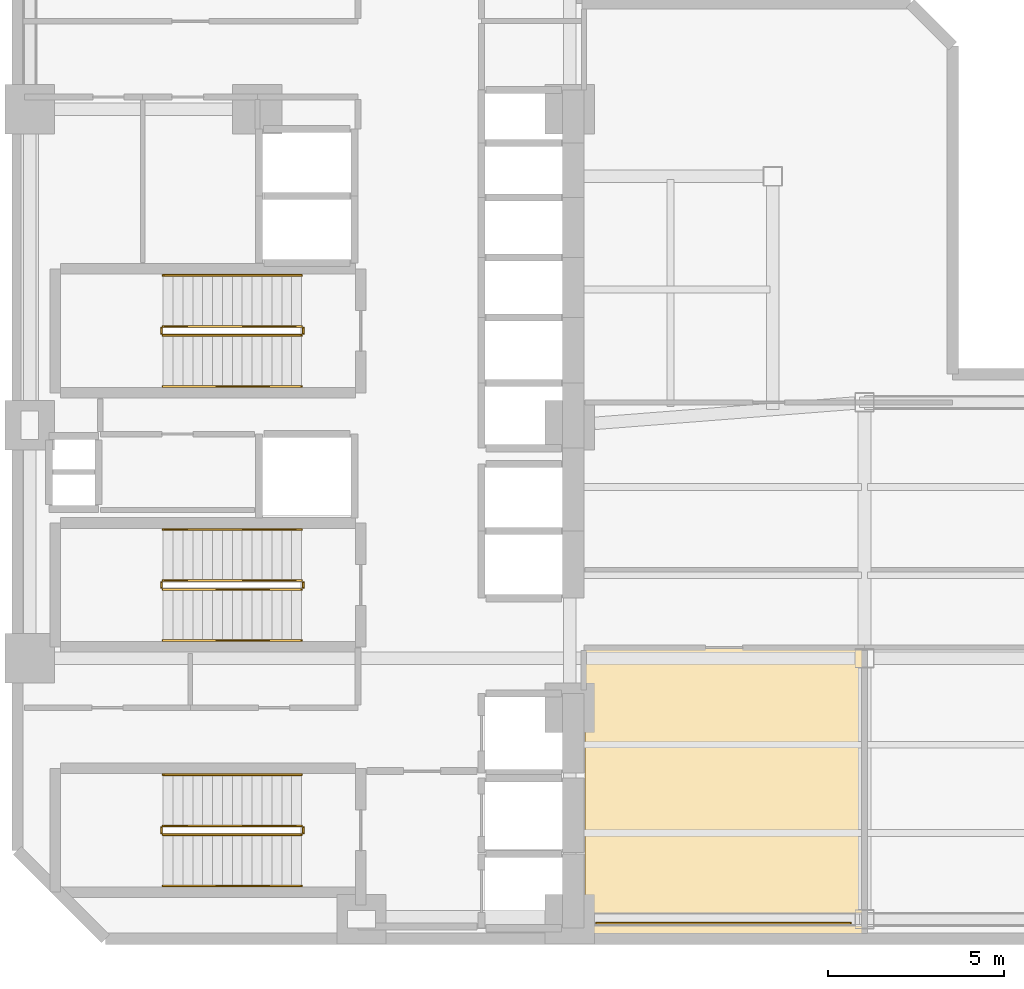
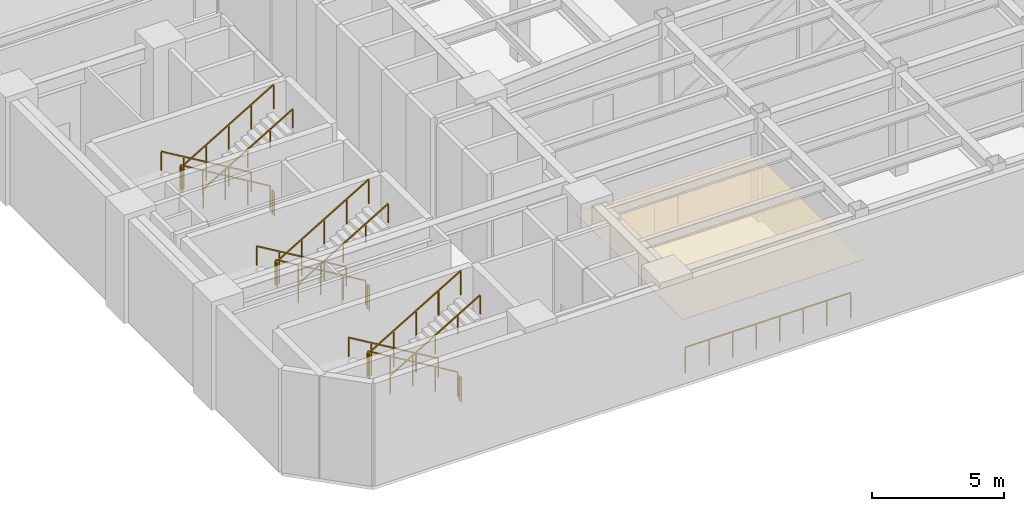
# One storey, part 6 of 7: 19 railings, 1 covering.
"""IFC4 building model written with IfcOpenShell, lengths in metres."""

from ifc_helpers import new_model, si_unit, direction, frame, origin, origin_2d, place, context, subcontext, project, spatial, polyline, rectangle, outline, extrude, material, layer, layer_set, type_object, element, save


model = new_model("IFC4")

# Units and contexts
model_context = context("Model", 3, precision=1e-05, world=origin(), true_north=direction((0.0, 1.0)))
body_context = subcontext(model_context, "Body", "Model", "MODEL_VIEW")
ifc_project = project(units=[si_unit("LENGTHUNIT", "METRE"), si_unit("AREAUNIT", "SQUARE_METRE"), si_unit("VOLUMEUNIT", "CUBIC_METRE"), si_unit("PLANEANGLEUNIT", "RADIAN"), si_unit("MASSUNIT", "GRAM", prefix="KILO")], contexts=[model_context])

# Site, building, storey
site_placement = place(None, origin())
site = spatial("IfcSite", under=ifc_project, at=site_placement, CompositionType="ELEMENT")
building_placement = place(site_placement, origin())
building = spatial("IfcBuilding", under=site, at=building_placement, Name="Mawjaban Terraces University", CompositionType="ELEMENT")
storey_placement = place(building_placement, frame((0.0, 0.0, 93.39990234375)))
storey = spatial("IfcBuildingStorey", under=building, at=storey_placement, Name="L22", CompositionType="ELEMENT", Elevation=93.39990234375)

# Covering
ifc_material_1 = material(Name="Acoustic mineral fibre ceiling tile", Category="masonry")
ifc_layer = layer(ifc_material_1, 0.02001953125)
ifc_layer_set = layer_set([ifc_layer], Name="Acoustic mineral fibre ceiling tile")
covering_type = type_object("IfcCoveringType", Name="AcousticMineralCeiling_20", PredefinedType="CEILING", material=ifc_layer_set)
covering_placement = place(storey_placement, frame((0.0, 0.0, 2.75)))
element("IfcCovering", 1, at=covering_placement, inside=storey, type_object=covering_type, Name="L22 Designated Smoke-Protected Refuge Area East Acoustic Ceiling", PredefinedType="CEILING", context=body_context, shape_type="SweptSolid", body=[
    extrude(outline(polyline([(38.080078125, 0.114990234375), (45.969970703125, 0.114990234375), (45.969970703125, 8.219970703125), (38.080078125, 8.219970703125), (38.080078125, 0.114990234375)])), origin(), (0.0, 0.0, 1.0), 0.02001953125),
])

# Railings
ifc_material_2 = material(Name="Brushed stainless steel 316", Category="steel")
railing_type_1 = type_object("IfcRailingType", Name="StairWallHandrail_900", PredefinedType="HANDRAIL", material=ifc_material_2)
railing_1_placement = place(storey_placement, frame((30.050048828125, 4.64990234375, 0.166748046875)))
element("IfcRailing", 2, at=railing_1_placement, inside=storey, type_object=railing_type_1, Name="L22 ST-1 stair handrail 1", PredefinedType="HANDRAIL", context=body_context, shape_type="SweptSolid", body=[
    extrude(rectangle(XDim=0.048095703125, YDim=0.048095703125, at=origin_2d()), frame((0.0, 0.0, 0.8759765625), z_axis=(-0.859310244771, 0.0, 0.511454693235), x_axis=(0.0, -1.0, 0.0)), (0.0, 0.0, 1.0), 4.56201171875),
    extrude(rectangle(XDim=0.0419921875, YDim=0.0419921875, at=origin_2d()), origin(), (0.0, 0.0, 1.0), 0.851806640625),
    extrude(rectangle(XDim=0.0419921875, YDim=0.0419921875, at=origin_2d()), frame((-0.97998046875, 0.0, 0.583251953125)), (0.0, 0.0, 1.0), 0.851806640625),
    extrude(rectangle(XDim=0.0419921875, YDim=0.0419921875, at=origin_2d()), frame((-1.9599609375, 0.0, 1.16650390625)), (0.0, 0.0, 1.0), 0.851806640625),
    extrude(rectangle(XDim=0.0419921875, YDim=0.0419921875, at=origin_2d()), frame((-2.940185546875, 0.0, 1.75)), (0.0, 0.0, 1.0), 0.851806640625),
    extrude(rectangle(XDim=0.0419921875, YDim=0.0419921875, at=origin_2d()), frame((-3.920166015625, 0.0, 2.333251953125)), (0.0, 0.0, 1.0), 0.851806640625),
])
railing_2_placement = place(storey_placement, frame((26.1298828125, 1.5, 2.666748046875)))
element("IfcRailing", 3, at=railing_2_placement, inside=storey, type_object=railing_type_1, Name="L22 ST-1 stair handrail 2", PredefinedType="HANDRAIL", context=body_context, shape_type="SweptSolid", body=[
    extrude(rectangle(XDim=0.048095703125, YDim=0.048095703125, at=origin_2d()), frame((0.0, 0.0, 0.8759765625), z_axis=(0.859310244771, 0.0, 0.511454693235), x_axis=(0.0, 1.0, 0.0)), (0.0, 0.0, 1.0), 4.56201171875),
    extrude(rectangle(XDim=0.0419921875, YDim=0.0419921875, at=origin_2d()), origin(), (0.0, 0.0, 1.0), 0.851806640625),
    extrude(rectangle(XDim=0.0419921875, YDim=0.0419921875, at=origin_2d()), frame((0.97998046875, 0.0, 0.583251953125)), (0.0, 0.0, 1.0), 0.851806640625),
    extrude(rectangle(XDim=0.0419921875, YDim=0.0419921875, at=origin_2d()), frame((1.9599609375, 0.0, 1.16650390625)), (0.0, 0.0, 1.0), 0.851806640625),
    extrude(rectangle(XDim=0.0419921875, YDim=0.0419921875, at=origin_2d()), frame((2.940185546875, 0.0, 1.75)), (0.0, 0.0, 1.0), 0.851806640625),
    extrude(rectangle(XDim=0.0419921875, YDim=0.0419921875, at=origin_2d()), frame((3.920166015625, 0.0, 2.333251953125)), (0.0, 0.0, 1.0), 0.851806640625),
])
railing_3_placement = place(storey_placement, frame((30.050048828125, 18.800048828125, 0.166748046875)))
element("IfcRailing", 4, at=railing_3_placement, inside=storey, type_object=railing_type_1, Name="L22 ST-2 stair handrail 1", PredefinedType="HANDRAIL", context=body_context, shape_type="SweptSolid", body=[
    extrude(rectangle(XDim=0.048095703125, YDim=0.048095703125, at=origin_2d()), frame((0.0, 0.0, 0.8759765625), z_axis=(-0.859310244771, 0.0, 0.511454693235), x_axis=(0.0, -1.0, 0.0)), (0.0, 0.0, 1.0), 4.56201171875),
    extrude(rectangle(XDim=0.0419921875, YDim=0.0419921875, at=origin_2d()), origin(), (0.0, 0.0, 1.0), 0.851806640625),
    extrude(rectangle(XDim=0.0419921875, YDim=0.0419921875, at=origin_2d()), frame((-0.97998046875, 0.0, 0.583251953125)), (0.0, 0.0, 1.0), 0.851806640625),
    extrude(rectangle(XDim=0.0419921875, YDim=0.0419921875, at=origin_2d()), frame((-1.9599609375, 0.0, 1.16650390625)), (0.0, 0.0, 1.0), 0.851806640625),
    extrude(rectangle(XDim=0.0419921875, YDim=0.0419921875, at=origin_2d()), frame((-2.940185546875, 0.0, 1.75)), (0.0, 0.0, 1.0), 0.851806640625),
    extrude(rectangle(XDim=0.0419921875, YDim=0.0419921875, at=origin_2d()), frame((-3.920166015625, 0.0, 2.333251953125)), (0.0, 0.0, 1.0), 0.851806640625),
])
railing_4_placement = place(storey_placement, frame((26.1298828125, 15.64990234375, 2.666748046875)))
element("IfcRailing", 5, at=railing_4_placement, inside=storey, type_object=railing_type_1, Name="L22 ST-2 stair handrail 2", PredefinedType="HANDRAIL", context=body_context, shape_type="SweptSolid", body=[
    extrude(rectangle(XDim=0.048095703125, YDim=0.048095703125, at=origin_2d()), frame((0.0, 0.0, 0.8759765625), z_axis=(0.859310244771, 0.0, 0.511454693235), x_axis=(0.0, 1.0, 0.0)), (0.0, 0.0, 1.0), 4.56201171875),
    extrude(rectangle(XDim=0.0419921875, YDim=0.0419921875, at=origin_2d()), origin(), (0.0, 0.0, 1.0), 0.851806640625),
    extrude(rectangle(XDim=0.0419921875, YDim=0.0419921875, at=origin_2d()), frame((0.97998046875, 0.0, 0.583251953125)), (0.0, 0.0, 1.0), 0.851806640625),
    extrude(rectangle(XDim=0.0419921875, YDim=0.0419921875, at=origin_2d()), frame((1.9599609375, 0.0, 1.16650390625)), (0.0, 0.0, 1.0), 0.851806640625),
    extrude(rectangle(XDim=0.0419921875, YDim=0.0419921875, at=origin_2d()), frame((2.940185546875, 0.0, 1.75)), (0.0, 0.0, 1.0), 0.851806640625),
    extrude(rectangle(XDim=0.0419921875, YDim=0.0419921875, at=origin_2d()), frame((3.920166015625, 0.0, 2.333251953125)), (0.0, 0.0, 1.0), 0.851806640625),
])
railing_5_placement = place(storey_placement, frame((30.050048828125, 11.60009765625, 0.166748046875)))
element("IfcRailing", 6, at=railing_5_placement, inside=storey, type_object=railing_type_1, Name="L22 ST-3 stair handrail 1", PredefinedType="HANDRAIL", context=body_context, shape_type="SweptSolid", body=[
    extrude(rectangle(XDim=0.048095703125, YDim=0.048095703125, at=origin_2d()), frame((0.0, 0.0, 0.8759765625), z_axis=(-0.859310244771, 0.0, 0.511454693235), x_axis=(0.0, -1.0, 0.0)), (0.0, 0.0, 1.0), 4.56201171875),
    extrude(rectangle(XDim=0.0419921875, YDim=0.0419921875, at=origin_2d()), origin(), (0.0, 0.0, 1.0), 0.851806640625),
    extrude(rectangle(XDim=0.0419921875, YDim=0.0419921875, at=origin_2d()), frame((-0.97998046875, 0.0, 0.583251953125)), (0.0, 0.0, 1.0), 0.851806640625),
    extrude(rectangle(XDim=0.0419921875, YDim=0.0419921875, at=origin_2d()), frame((-1.9599609375, 0.0, 1.16650390625)), (0.0, 0.0, 1.0), 0.851806640625),
    extrude(rectangle(XDim=0.0419921875, YDim=0.0419921875, at=origin_2d()), frame((-2.940185546875, 0.0, 1.75)), (0.0, 0.0, 1.0), 0.851806640625),
    extrude(rectangle(XDim=0.0419921875, YDim=0.0419921875, at=origin_2d()), frame((-3.920166015625, 0.0, 2.333251953125)), (0.0, 0.0, 1.0), 0.851806640625),
])
railing_6_placement = place(storey_placement, frame((26.1298828125, 8.449951171875, 2.666748046875)))
element("IfcRailing", 7, at=railing_6_placement, inside=storey, type_object=railing_type_1, Name="L22 ST-3 stair handrail 2", PredefinedType="HANDRAIL", context=body_context, shape_type="SweptSolid", body=[
    extrude(rectangle(XDim=0.048095703125, YDim=0.048095703125, at=origin_2d()), frame((0.0, 0.0, 0.8759765625), z_axis=(0.859310244771, 0.0, 0.511454693235), x_axis=(0.0, 1.0, 0.0)), (0.0, 0.0, 1.0), 4.56201171875),
    extrude(rectangle(XDim=0.0419921875, YDim=0.0419921875, at=origin_2d()), origin(), (0.0, 0.0, 1.0), 0.851806640625),
    extrude(rectangle(XDim=0.0419921875, YDim=0.0419921875, at=origin_2d()), frame((0.97998046875, 0.0, 0.583251953125)), (0.0, 0.0, 1.0), 0.851806640625),
    extrude(rectangle(XDim=0.0419921875, YDim=0.0419921875, at=origin_2d()), frame((1.9599609375, 0.0, 1.16650390625)), (0.0, 0.0, 1.0), 0.851806640625),
    extrude(rectangle(XDim=0.0419921875, YDim=0.0419921875, at=origin_2d()), frame((2.940185546875, 0.0, 1.75)), (0.0, 0.0, 1.0), 0.851806640625),
    extrude(rectangle(XDim=0.0419921875, YDim=0.0419921875, at=origin_2d()), frame((3.920166015625, 0.0, 2.333251953125)), (0.0, 0.0, 1.0), 0.851806640625),
])
ifc_material_3 = material(Name="Galvanised painted steel S355", Category="steel")
railing_type_2 = type_object("IfcRailingType", Name="StairWellGuard_1150", PredefinedType="BALUSTRADE", material=ifc_material_3)
railing_7_placement = place(storey_placement, frame((30.050048828125, 3.199951171875, 0.166748046875)))
element("IfcRailing", 8, at=railing_7_placement, inside=storey, type_object=railing_type_2, Name="L22 ST-1 stair guard 1", PredefinedType="BALUSTRADE", context=body_context, shape_type="SweptSolid", body=[
    extrude(rectangle(XDim=0.048095703125, YDim=0.048095703125, at=origin_2d()), frame((0.0, 0.0, 1.1259765625), z_axis=(-0.859310244771, 0.0, 0.511454693235), x_axis=(0.0, -1.0, 0.0)), (0.0, 0.0, 1.0), 4.56201171875),
    extrude(rectangle(XDim=0.0419921875, YDim=0.0419921875, at=origin_2d()), origin(), (0.0, 0.0, 1.0), 1.101806640625),
    extrude(rectangle(XDim=0.0419921875, YDim=0.0419921875, at=origin_2d()), frame((-0.97998046875, 0.0, 0.583251953125)), (0.0, 0.0, 1.0), 1.101806640625),
    extrude(rectangle(XDim=0.0419921875, YDim=0.0419921875, at=origin_2d()), frame((-1.9599609375, 0.0, 1.16650390625)), (0.0, 0.0, 1.0), 1.101806640625),
    extrude(rectangle(XDim=0.0419921875, YDim=0.0419921875, at=origin_2d()), frame((-2.940185546875, 0.0, 1.75)), (0.0, 0.0, 1.0), 1.101806640625),
    extrude(rectangle(XDim=0.0419921875, YDim=0.0419921875, at=origin_2d()), frame((-3.920166015625, 0.0, 2.333251953125)), (0.0, 0.0, 1.0), 1.101806640625),
])
railing_8_placement = place(storey_placement, frame((26.080078125, 3.14990234375, 2.5)))
element("IfcRailing", 9, at=railing_8_placement, inside=storey, type_object=railing_type_2, Name="L22 ST-1 stair guard 2", PredefinedType="BALUSTRADE", context=body_context, shape_type="SweptSolid", body=[
    extrude(rectangle(XDim=0.048095703125, YDim=0.048095703125, at=origin_2d()), frame((0.0, 0.0, 1.1259765625), z_axis=(0.0, -1.0, 0.0), x_axis=(1.0, 0.0, 0.0)), (0.0, 0.0, 1.0), 0.14990234375),
    extrude(rectangle(XDim=0.0419921875, YDim=0.0419921875, at=origin_2d()), origin(), (0.0, 0.0, 1.0), 1.101806640625),
    extrude(rectangle(XDim=0.0419921875, YDim=0.0419921875, at=origin_2d()), frame((0.0, -0.14990234375, 0.0)), (0.0, 0.0, 1.0), 1.101806640625),
])
railing_9_placement = place(storey_placement, frame((26.1298828125, 2.949951171875, 2.666748046875)))
element("IfcRailing", 10, at=railing_9_placement, inside=storey, type_object=railing_type_2, Name="L22 ST-1 stair guard 3", PredefinedType="BALUSTRADE", context=body_context, shape_type="SweptSolid", body=[
    extrude(rectangle(XDim=0.048095703125, YDim=0.048095703125, at=origin_2d()), frame((0.0, 0.0, 1.1259765625), z_axis=(0.859310244771, 0.0, 0.511454693235), x_axis=(0.0, 1.0, 0.0)), (0.0, 0.0, 1.0), 4.56201171875),
    extrude(rectangle(XDim=0.0419921875, YDim=0.0419921875, at=origin_2d()), origin(), (0.0, 0.0, 1.0), 1.101806640625),
    extrude(rectangle(XDim=0.0419921875, YDim=0.0419921875, at=origin_2d()), frame((0.97998046875, 0.0, 0.583251953125)), (0.0, 0.0, 1.0), 1.101806640625),
    extrude(rectangle(XDim=0.0419921875, YDim=0.0419921875, at=origin_2d()), frame((1.9599609375, 0.0, 1.16650390625)), (0.0, 0.0, 1.0), 1.101806640625),
    extrude(rectangle(XDim=0.0419921875, YDim=0.0419921875, at=origin_2d()), frame((2.940185546875, 0.0, 1.75)), (0.0, 0.0, 1.0), 1.101806640625),
    extrude(rectangle(XDim=0.0419921875, YDim=0.0419921875, at=origin_2d()), frame((3.920166015625, 0.0, 2.333251953125)), (0.0, 0.0, 1.0), 1.101806640625),
])
railing_10_placement = place(storey_placement, frame((30.10009765625, 3.14990234375, 0.0)))
element("IfcRailing", 11, at=railing_10_placement, inside=storey, type_object=railing_type_2, Name="L22 ST-1 stair guard 4", PredefinedType="BALUSTRADE", context=body_context, shape_type="SweptSolid", body=[
    extrude(rectangle(XDim=0.048095703125, YDim=0.048095703125, at=origin_2d()), frame((0.0, 0.0, 1.1259765625), z_axis=(0.0, -1.0, 0.0), x_axis=(1.0, 0.0, 0.0)), (0.0, 0.0, 1.0), 0.14990234375),
    extrude(rectangle(XDim=0.0419921875, YDim=0.0419921875, at=origin_2d()), origin(), (0.0, 0.0, 1.0), 1.101806640625),
    extrude(rectangle(XDim=0.0419921875, YDim=0.0419921875, at=origin_2d()), frame((0.0, -0.14990234375, 0.0)), (0.0, 0.0, 1.0), 1.101806640625),
])
railing_11_placement = place(storey_placement, frame((30.050048828125, 17.35009765625, 0.166748046875)))
element("IfcRailing", 12, at=railing_11_placement, inside=storey, type_object=railing_type_2, Name="L22 ST-2 stair guard 1", PredefinedType="BALUSTRADE", context=body_context, shape_type="SweptSolid", body=[
    extrude(rectangle(XDim=0.048095703125, YDim=0.048095703125, at=origin_2d()), frame((0.0, 0.0, 1.1259765625), z_axis=(-0.859310244771, 0.0, 0.511454693235), x_axis=(0.0, -1.0, 0.0)), (0.0, 0.0, 1.0), 4.56201171875),
    extrude(rectangle(XDim=0.0419921875, YDim=0.0419921875, at=origin_2d()), origin(), (0.0, 0.0, 1.0), 1.101806640625),
    extrude(rectangle(XDim=0.0419921875, YDim=0.0419921875, at=origin_2d()), frame((-0.97998046875, 0.0, 0.583251953125)), (0.0, 0.0, 1.0), 1.101806640625),
    extrude(rectangle(XDim=0.0419921875, YDim=0.0419921875, at=origin_2d()), frame((-1.9599609375, 0.0, 1.16650390625)), (0.0, 0.0, 1.0), 1.101806640625),
    extrude(rectangle(XDim=0.0419921875, YDim=0.0419921875, at=origin_2d()), frame((-2.940185546875, 0.0, 1.75)), (0.0, 0.0, 1.0), 1.101806640625),
    extrude(rectangle(XDim=0.0419921875, YDim=0.0419921875, at=origin_2d()), frame((-3.920166015625, 0.0, 2.333251953125)), (0.0, 0.0, 1.0), 1.101806640625),
])
railing_12_placement = place(storey_placement, frame((26.080078125, 17.300048828125, 2.5)))
element("IfcRailing", 13, at=railing_12_placement, inside=storey, type_object=railing_type_2, Name="L22 ST-2 stair guard 2", PredefinedType="BALUSTRADE", context=body_context, shape_type="SweptSolid", body=[
    extrude(rectangle(XDim=0.048095703125, YDim=0.048095703125, at=origin_2d()), frame((0.0, 0.0, 1.1259765625), z_axis=(0.0, -1.0, 0.0), x_axis=(1.0, 0.0, 0.0)), (0.0, 0.0, 1.0), 0.150146484375),
    extrude(rectangle(XDim=0.0419921875, YDim=0.0419921875, at=origin_2d()), origin(), (0.0, 0.0, 1.0), 1.101806640625),
    extrude(rectangle(XDim=0.0419921875, YDim=0.0419921875, at=origin_2d()), frame((0.0, -0.150146484375, 0.0)), (0.0, 0.0, 1.0), 1.101806640625),
])
railing_13_placement = place(storey_placement, frame((26.1298828125, 17.10009765625, 2.666748046875)))
element("IfcRailing", 14, at=railing_13_placement, inside=storey, type_object=railing_type_2, Name="L22 ST-2 stair guard 3", PredefinedType="BALUSTRADE", context=body_context, shape_type="SweptSolid", body=[
    extrude(rectangle(XDim=0.048095703125, YDim=0.048095703125, at=origin_2d()), frame((0.0, 0.0, 1.1259765625), z_axis=(0.859310244771, 0.0, 0.511454693235), x_axis=(0.0, 1.0, 0.0)), (0.0, 0.0, 1.0), 4.56201171875),
    extrude(rectangle(XDim=0.0419921875, YDim=0.0419921875, at=origin_2d()), origin(), (0.0, 0.0, 1.0), 1.101806640625),
    extrude(rectangle(XDim=0.0419921875, YDim=0.0419921875, at=origin_2d()), frame((0.97998046875, 0.0, 0.583251953125)), (0.0, 0.0, 1.0), 1.101806640625),
    extrude(rectangle(XDim=0.0419921875, YDim=0.0419921875, at=origin_2d()), frame((1.9599609375, 0.0, 1.16650390625)), (0.0, 0.0, 1.0), 1.101806640625),
    extrude(rectangle(XDim=0.0419921875, YDim=0.0419921875, at=origin_2d()), frame((2.940185546875, 0.0, 1.75)), (0.0, 0.0, 1.0), 1.101806640625),
    extrude(rectangle(XDim=0.0419921875, YDim=0.0419921875, at=origin_2d()), frame((3.920166015625, 0.0, 2.333251953125)), (0.0, 0.0, 1.0), 1.101806640625),
])
railing_14_placement = place(storey_placement, frame((30.10009765625, 17.300048828125, 0.0)))
element("IfcRailing", 15, at=railing_14_placement, inside=storey, type_object=railing_type_2, Name="L22 ST-2 stair guard 4", PredefinedType="BALUSTRADE", context=body_context, shape_type="SweptSolid", body=[
    extrude(rectangle(XDim=0.048095703125, YDim=0.048095703125, at=origin_2d()), frame((0.0, 0.0, 1.1259765625), z_axis=(0.0, -1.0, 0.0), x_axis=(1.0, 0.0, 0.0)), (0.0, 0.0, 1.0), 0.150146484375),
    extrude(rectangle(XDim=0.0419921875, YDim=0.0419921875, at=origin_2d()), origin(), (0.0, 0.0, 1.0), 1.101806640625),
    extrude(rectangle(XDim=0.0419921875, YDim=0.0419921875, at=origin_2d()), frame((0.0, -0.150146484375, 0.0)), (0.0, 0.0, 1.0), 1.101806640625),
])
railing_15_placement = place(storey_placement, frame((30.050048828125, 10.14990234375, 0.166748046875)))
element("IfcRailing", 16, at=railing_15_placement, inside=storey, type_object=railing_type_2, Name="L22 ST-3 stair guard 1", PredefinedType="BALUSTRADE", context=body_context, shape_type="SweptSolid", body=[
    extrude(rectangle(XDim=0.048095703125, YDim=0.048095703125, at=origin_2d()), frame((0.0, 0.0, 1.1259765625), z_axis=(-0.859310244771, 0.0, 0.511454693235), x_axis=(0.0, -1.0, 0.0)), (0.0, 0.0, 1.0), 4.56201171875),
    extrude(rectangle(XDim=0.0419921875, YDim=0.0419921875, at=origin_2d()), origin(), (0.0, 0.0, 1.0), 1.101806640625),
    extrude(rectangle(XDim=0.0419921875, YDim=0.0419921875, at=origin_2d()), frame((-0.97998046875, 0.0, 0.583251953125)), (0.0, 0.0, 1.0), 1.101806640625),
    extrude(rectangle(XDim=0.0419921875, YDim=0.0419921875, at=origin_2d()), frame((-1.9599609375, 0.0, 1.16650390625)), (0.0, 0.0, 1.0), 1.101806640625),
    extrude(rectangle(XDim=0.0419921875, YDim=0.0419921875, at=origin_2d()), frame((-2.940185546875, 0.0, 1.75)), (0.0, 0.0, 1.0), 1.101806640625),
    extrude(rectangle(XDim=0.0419921875, YDim=0.0419921875, at=origin_2d()), frame((-3.920166015625, 0.0, 2.333251953125)), (0.0, 0.0, 1.0), 1.101806640625),
])
railing_16_placement = place(storey_placement, frame((26.080078125, 10.10009765625, 2.5)))
element("IfcRailing", 17, at=railing_16_placement, inside=storey, type_object=railing_type_2, Name="L22 ST-3 stair guard 2", PredefinedType="BALUSTRADE", context=body_context, shape_type="SweptSolid", body=[
    extrude(rectangle(XDim=0.048095703125, YDim=0.048095703125, at=origin_2d()), frame((0.0, 0.0, 1.1259765625), z_axis=(0.0, -1.0, 0.0), x_axis=(1.0, 0.0, 0.0)), (0.0, 0.0, 1.0), 0.150146484375),
    extrude(rectangle(XDim=0.0419921875, YDim=0.0419921875, at=origin_2d()), origin(), (0.0, 0.0, 1.0), 1.101806640625),
    extrude(rectangle(XDim=0.0419921875, YDim=0.0419921875, at=origin_2d()), frame((0.0, -0.150146484375, 0.0)), (0.0, 0.0, 1.0), 1.101806640625),
])
railing_17_placement = place(storey_placement, frame((26.1298828125, 9.89990234375, 2.666748046875)))
element("IfcRailing", 18, at=railing_17_placement, inside=storey, type_object=railing_type_2, Name="L22 ST-3 stair guard 3", PredefinedType="BALUSTRADE", context=body_context, shape_type="SweptSolid", body=[
    extrude(rectangle(XDim=0.048095703125, YDim=0.048095703125, at=origin_2d()), frame((0.0, 0.0, 1.1259765625), z_axis=(0.859310244771, 0.0, 0.511454693235), x_axis=(0.0, 1.0, 0.0)), (0.0, 0.0, 1.0), 4.56201171875),
    extrude(rectangle(XDim=0.0419921875, YDim=0.0419921875, at=origin_2d()), origin(), (0.0, 0.0, 1.0), 1.101806640625),
    extrude(rectangle(XDim=0.0419921875, YDim=0.0419921875, at=origin_2d()), frame((0.97998046875, 0.0, 0.583251953125)), (0.0, 0.0, 1.0), 1.101806640625),
    extrude(rectangle(XDim=0.0419921875, YDim=0.0419921875, at=origin_2d()), frame((1.9599609375, 0.0, 1.16650390625)), (0.0, 0.0, 1.0), 1.101806640625),
    extrude(rectangle(XDim=0.0419921875, YDim=0.0419921875, at=origin_2d()), frame((2.940185546875, 0.0, 1.75)), (0.0, 0.0, 1.0), 1.101806640625),
    extrude(rectangle(XDim=0.0419921875, YDim=0.0419921875, at=origin_2d()), frame((3.920166015625, 0.0, 2.333251953125)), (0.0, 0.0, 1.0), 1.101806640625),
])
railing_18_placement = place(storey_placement, frame((30.10009765625, 10.10009765625, 0.0)))
element("IfcRailing", 19, at=railing_18_placement, inside=storey, type_object=railing_type_2, Name="L22 ST-3 stair guard 4", PredefinedType="BALUSTRADE", context=body_context, shape_type="SweptSolid", body=[
    extrude(rectangle(XDim=0.048095703125, YDim=0.048095703125, at=origin_2d()), frame((0.0, 0.0, 1.1259765625), z_axis=(0.0, -1.0, 0.0), x_axis=(1.0, 0.0, 0.0)), (0.0, 0.0, 1.0), 0.150146484375),
    extrude(rectangle(XDim=0.0419921875, YDim=0.0419921875, at=origin_2d()), origin(), (0.0, 0.0, 1.0), 1.101806640625),
    extrude(rectangle(XDim=0.0419921875, YDim=0.0419921875, at=origin_2d()), frame((0.0, -0.150146484375, 0.0)), (0.0, 0.0, 1.0), 1.101806640625),
])
ifc_material_4 = material(Name="Galvanised powder-coated steel S355", Category="steel")
railing_type_3 = type_object("IfcRailingType", Name="TerraceGuardrail_1200", PredefinedType="GUARDRAIL", material=ifc_material_4)
railing_19_placement = place(storey_placement, frame((38.39990234375, 0.449951171875, 0.0)))
element("IfcRailing", 20, at=railing_19_placement, inside=storey, type_object=railing_type_3, Name="L22 Open-Band Refuge Guardrail South", PredefinedType="GUARDRAIL", context=body_context, shape_type="SweptSolid", body=[
    extrude(rectangle(XDim=0.048095703125, YDim=0.048095703125, at=origin_2d()), frame((0.0, 0.0, 1.17578125), z_axis=(1.0, 0.0, 0.0), x_axis=(0.0, 1.0, 0.0)), (0.0, 0.0, 1.0), 7.2001953125),
    extrude(rectangle(XDim=0.0419921875, YDim=0.0419921875, at=origin_2d()), origin(), (0.0, 0.0, 1.0), 1.15185546875),
    extrude(rectangle(XDim=0.0419921875, YDim=0.0419921875, at=origin_2d()), frame((1.028564453125, 0.0, 0.0)), (0.0, 0.0, 1.0), 1.15185546875),
    extrude(rectangle(XDim=0.0419921875, YDim=0.0419921875, at=origin_2d()), frame((2.05712890625, 0.0, 0.0)), (0.0, 0.0, 1.0), 1.15185546875),
    extrude(rectangle(XDim=0.0419921875, YDim=0.0419921875, at=origin_2d()), frame((3.085693359375, 0.0, 0.0)), (0.0, 0.0, 1.0), 1.15185546875),
    extrude(rectangle(XDim=0.0419921875, YDim=0.0419921875, at=origin_2d()), frame((4.114501953125, 0.0, 0.0)), (0.0, 0.0, 1.0), 1.15185546875),
    extrude(rectangle(XDim=0.0419921875, YDim=0.0419921875, at=origin_2d()), frame((5.14306640625, 0.0, 0.0)), (0.0, 0.0, 1.0), 1.15185546875),
    extrude(rectangle(XDim=0.0419921875, YDim=0.0419921875, at=origin_2d()), frame((6.171630859375, 0.0, 0.0)), (0.0, 0.0, 1.0), 1.15185546875),
    extrude(rectangle(XDim=0.0419921875, YDim=0.0419921875, at=origin_2d()), frame((7.2001953125, 0.0, 0.0)), (0.0, 0.0, 1.0), 1.15185546875),
])

save(model, "model.ifc")
